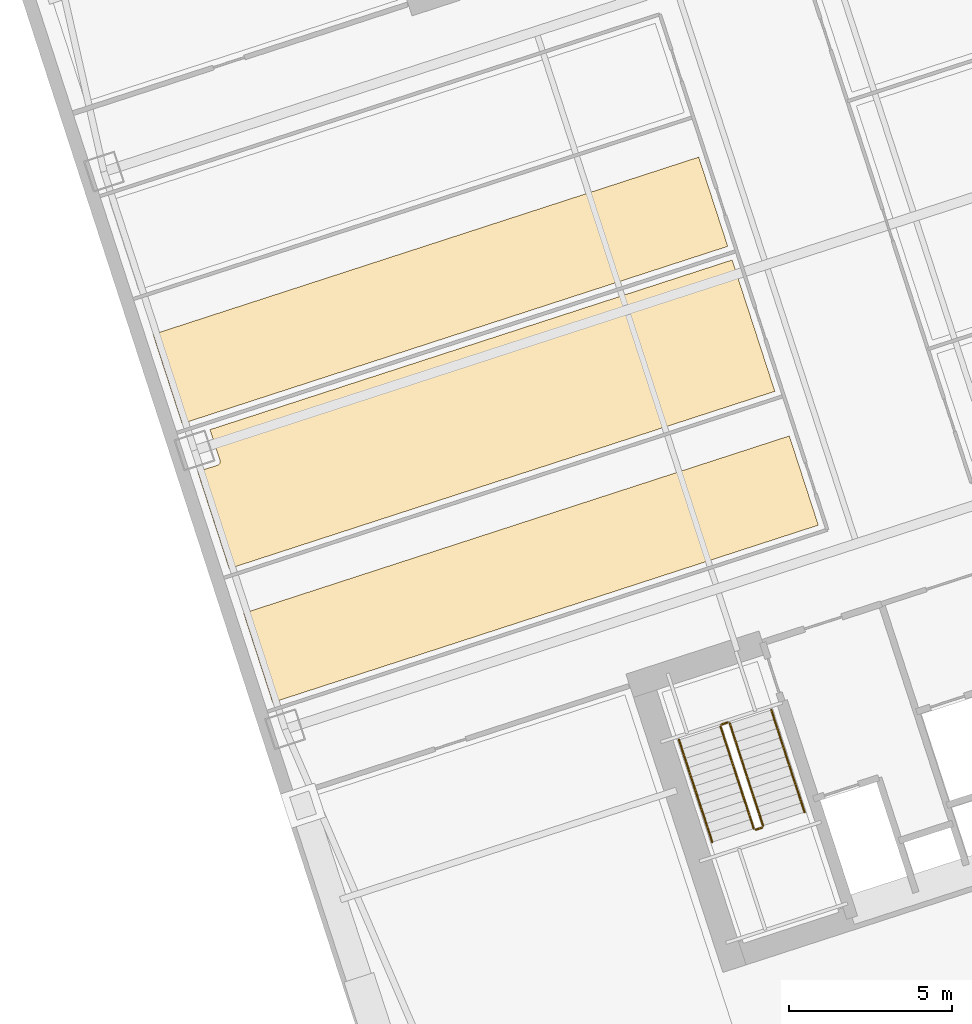
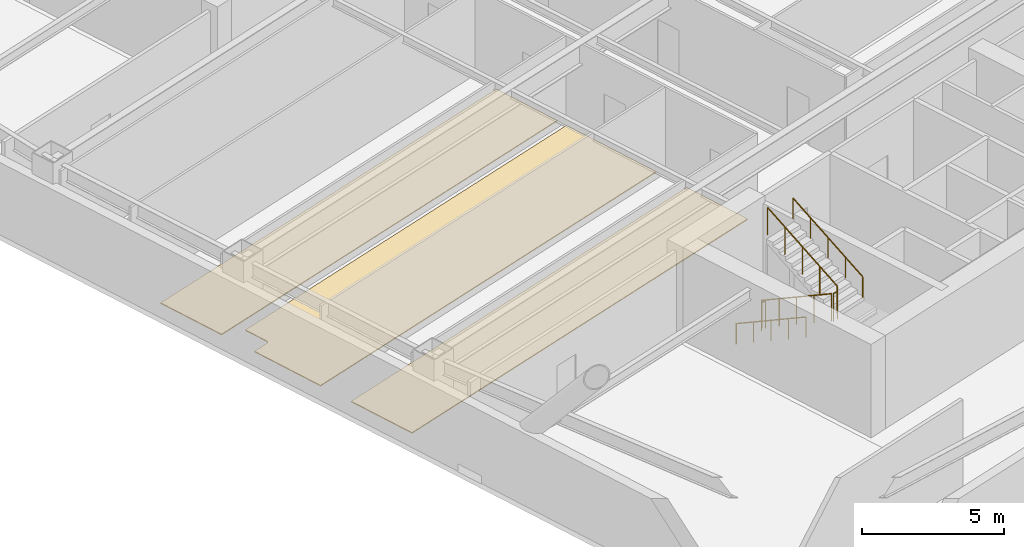
# One storey, part 15 of 18: 6 railings, 3 coverings.
"""IFC4 building model written with IfcOpenShell, lengths in metres."""

from ifc_helpers import new_model, si_unit, direction, frame, origin, origin_2d, place, context, subcontext, project, spatial, polyline, circle, outline, extrude, material, layer, layer_set, type_object, element, save


model = new_model("IFC4")

# Units and contexts
model_context = context("Model", 3, precision=1e-05, world=origin(), true_north=direction((0.0, 1.0)))
body_context = subcontext(model_context, "Body", "Model", "MODEL_VIEW")
ifc_project = project(units=[si_unit("LENGTHUNIT", "METRE"), si_unit("AREAUNIT", "SQUARE_METRE"), si_unit("VOLUMEUNIT", "CUBIC_METRE"), si_unit("PLANEANGLEUNIT", "RADIAN"), si_unit("MASSUNIT", "GRAM", prefix="KILO")], contexts=[model_context])

# Site, building, storey
site_placement = place(None, origin())
site = spatial("IfcSite", under=ifc_project, at=site_placement, CompositionType="ELEMENT")
building_placement = place(site_placement, origin())
building = spatial("IfcBuilding", under=site, at=building_placement, Name="Qiaolan Cultural Towers", CompositionType="ELEMENT")
storey_placement = place(building_placement, frame((0.0, 0.0, 42.0)))
storey = spatial("IfcBuildingStorey", under=building, at=storey_placement, Name="L09", CompositionType="ELEMENT", Elevation=42.0)

# Coverings
ifc_material_1 = material(Name="Honed Terrazzo & Raised Access Flooring", Category="concrete")
ifc_layer = layer(ifc_material_1, 0.0400390625)
ifc_layer_set = layer_set([ifc_layer], Name="Honed Terrazzo & Raised Access Flooring")
covering_type = type_object("IfcCoveringType", Name="COV-FLR-STONE", PredefinedType="FLOORING", material=ifc_layer_set)
covering_1_placement = place(storey_placement, origin())
element("IfcCovering", 1, at=covering_1_placement, inside=storey, type_object=covering_type, Name="L09 Project Briefing Room Finish Flooring", PredefinedType="FLOORING", context=body_context, shape_type="SweptSolid", body=[
    extrude(outline(polyline([(91.604248046875, 26.00439453125), (90.71435546875, 28.743408203125), (73.96142578125, 23.300048828125), (74.851318359375, 20.56103515625), (91.604248046875, 26.00439453125)])), origin(), (0.0, 0.0, 1.0), 0.0400390625),
])
covering_2_placement = place(storey_placement, origin())
element("IfcCovering", 2, at=covering_2_placement, inside=storey, type_object=covering_type, Name="L09 Curatorial Research Office Finish Flooring", PredefinedType="FLOORING", context=body_context, shape_type="SweptSolid", body=[
    extrude(outline(polyline([(73.23486328125, 27.995361328125), (73.238037109375, 27.984130859375), (73.239990234375, 27.972412109375), (73.24072265625, 27.960693359375), (73.240478515625, 27.948974609375), (73.239013671875, 27.937255859375), (73.236328125, 27.92578125), (73.232666015625, 27.91455078125), (73.227783203125, 27.90380859375), (73.221923828125, 27.8935546875), (73.215087890625, 27.884033203125), (73.207275390625, 27.875244140625), (73.19873046875, 27.8671875), (73.189453125, 27.85986328125), (73.179443359375, 27.853759765625), (73.1689453125, 27.848388671875), (73.157958984375, 27.84423828125), (72.54931640625, 27.646484375), (73.516357421875, 24.669677734375), (90.269287109375, 30.113037109375), (88.958984375, 34.1455078125), (72.928955078125, 28.93701171875), (73.23486328125, 27.995361328125)])), origin(), (0.0, 0.0, 1.0), 0.0400390625),
])
covering_3_placement = place(storey_placement, origin())
element("IfcCovering", 3, at=covering_3_placement, inside=storey, type_object=covering_type, Name="L09 Wellness Consultation Room Finish Flooring", PredefinedType="FLOORING", context=body_context, shape_type="SweptSolid", body=[
    extrude(outline(polyline([(88.8232421875, 34.56396484375), (87.93310546875, 37.302978515625), (71.180419921875, 31.859619140625), (72.0703125, 29.12060546875), (88.8232421875, 34.56396484375)])), origin(), (0.0, 0.0, 1.0), 0.0400390625),
])

# Railings
ifc_material_2 = material(Name="Galvanized Painted Steel Stair Guardrail", Category="steel")
railing_type_1 = type_object("IfcRailingType", Name="RL-STAIR-GRD", PredefinedType="GUARDRAIL", material=ifc_material_2)
railing_1_placement = place(storey_placement, frame((88.60205078125, 19.82421875, 0.166748046875)))
element("IfcRailing", 4, at=railing_1_placement, inside=storey, type_object=railing_type_1, Name="L09 ST-E1 stair guard 1", PredefinedType="GUARDRAIL", context=body_context, shape_type="SweptSolid", body=[
    extrude(circle(Radius=0.02392578125, at=origin_2d()), frame((0.0, 0.0, 1.17578125), z_axis=(0.270140520196, -0.831375721119, 0.485632072336), x_axis=(0.951053095941, 0.309027520945, 0.0)), (0.0, 0.0, 1.0), 3.77490234375),
    extrude(circle(Radius=0.02099609375, at=origin_2d()), origin(), (0.0, 0.0, 1.0), 1.15185546875),
    extrude(circle(Radius=0.02099609375, at=origin_2d()), frame((0.2548828125, -0.78466796875, 0.458251953125)), (0.0, 0.0, 1.0), 1.15185546875),
    extrude(circle(Radius=0.02099609375, at=origin_2d()), frame((0.509765625, -1.5693359375, 0.91650390625)), (0.0, 0.0, 1.0), 1.15185546875),
    extrude(circle(Radius=0.02099609375, at=origin_2d()), frame((0.764892578125, -2.353759765625, 1.375)), (0.0, 0.0, 1.0), 1.15185546875),
    extrude(circle(Radius=0.02099609375, at=origin_2d()), frame((1.019775390625, -3.138427734375, 1.833251953125)), (0.0, 0.0, 1.0), 1.15185546875),
])
railing_2_placement = place(storey_placement, frame((89.684814453125, 16.653564453125, 2.0)))
element("IfcRailing", 5, at=railing_2_placement, inside=storey, type_object=railing_type_1, Name="L09 ST-E1 stair guard 2", PredefinedType="GUARDRAIL", context=body_context, shape_type="SweptSolid", body=[
    extrude(circle(Radius=0.02392578125, at=origin_2d()), frame((0.0, 0.0, 1.17578125), z_axis=(0.951096855055, 0.308892816854, 0.0), x_axis=(-0.308892816854, 0.951096855055, 0.0)), (0.0, 0.0, 1.0), 0.199951171875),
    extrude(circle(Radius=0.02099609375, at=origin_2d()), origin(), (0.0, 0.0, 1.0), 1.15185546875),
    extrude(circle(Radius=0.02099609375, at=origin_2d()), frame((0.190185546875, 0.061767578125, 0.0)), (0.0, 0.0, 1.0), 1.15185546875),
])
railing_3_placement = place(storey_placement, frame((89.9072265625, 16.778564453125, 2.166748046875)))
element("IfcRailing", 6, at=railing_3_placement, inside=storey, type_object=railing_type_1, Name="L09 ST-E1 stair guard 3", PredefinedType="GUARDRAIL", context=body_context, shape_type="SweptSolid", body=[
    extrude(circle(Radius=0.02392578125, at=origin_2d()), frame((0.0, 0.0, 1.17578125), z_axis=(-0.270140520196, 0.831375721119, 0.485632072336), x_axis=(-0.951053095941, -0.309027520945, 0.0)), (0.0, 0.0, 1.0), 3.77490234375),
    extrude(circle(Radius=0.02099609375, at=origin_2d()), origin(), (0.0, 0.0, 1.0), 1.15185546875),
    extrude(circle(Radius=0.02099609375, at=origin_2d()), frame((-0.2548828125, 0.78466796875, 0.458251953125)), (0.0, 0.0, 1.0), 1.15185546875),
    extrude(circle(Radius=0.02099609375, at=origin_2d()), frame((-0.509765625, 1.5693359375, 0.91650390625)), (0.0, 0.0, 1.0), 1.15185546875),
    extrude(circle(Radius=0.02099609375, at=origin_2d()), frame((-0.764892578125, 2.353759765625, 1.375)), (0.0, 0.0, 1.0), 1.15185546875),
    extrude(circle(Radius=0.02099609375, at=origin_2d()), frame((-1.019775390625, 3.138427734375, 1.833251953125)), (0.0, 0.0, 1.0), 1.15185546875),
])
railing_4_placement = place(storey_placement, frame((88.63427734375, 19.88720703125, 0.0)))
element("IfcRailing", 7, at=railing_4_placement, inside=storey, type_object=railing_type_1, Name="L09 ST-E1 stair guard 4", PredefinedType="GUARDRAIL", context=body_context, shape_type="SweptSolid", body=[
    extrude(circle(Radius=0.02392578125, at=origin_2d()), frame((0.0, 0.0, 1.17578125), z_axis=(0.951096855055, 0.308892816854, 0.0), x_axis=(-0.308892816854, 0.951096855055, 0.0)), (0.0, 0.0, 1.0), 0.199951171875),
    extrude(circle(Radius=0.02099609375, at=origin_2d()), origin(), (0.0, 0.0, 1.0), 1.15185546875),
    extrude(circle(Radius=0.02099609375, at=origin_2d()), frame((0.190185546875, 0.061767578125, 0.0)), (0.0, 0.0, 1.0), 1.15185546875),
])
ifc_material_3 = material(Name="Stainless Steel S30408 Tubular Handrail", Category="steel")
railing_type_2 = type_object("IfcRailingType", Name="RL-STAIR-HR", PredefinedType="HANDRAIL", material=ifc_material_3)
railing_5_placement = place(storey_placement, frame((87.32763671875, 19.41015625, 0.166748046875)))
element("IfcRailing", 8, at=railing_5_placement, inside=storey, type_object=railing_type_2, Name="L09 ST-E1 stair handrail 1", PredefinedType="HANDRAIL", context=body_context, shape_type="SweptSolid", body=[
    extrude(circle(Radius=0.02392578125, at=origin_2d()), frame((0.0, 0.0, 0.8759765625), z_axis=(0.270140520196, -0.831375721119, 0.485632072336), x_axis=(0.951053095941, 0.309027520945, 0.0)), (0.0, 0.0, 1.0), 3.77490234375),
    extrude(circle(Radius=0.02099609375, at=origin_2d()), origin(), (0.0, 0.0, 1.0), 0.851806640625),
    extrude(circle(Radius=0.02099609375, at=origin_2d()), frame((0.2548828125, -0.78466796875, 0.458251953125)), (0.0, 0.0, 1.0), 0.851806640625),
    extrude(circle(Radius=0.02099609375, at=origin_2d()), frame((0.509765625, -1.5693359375, 0.91650390625)), (0.0, 0.0, 1.0), 0.851806640625),
    extrude(circle(Radius=0.02099609375, at=origin_2d()), frame((0.764892578125, -2.353759765625, 1.375)), (0.0, 0.0, 1.0), 0.851806640625),
    extrude(circle(Radius=0.02099609375, at=origin_2d()), frame((1.019775390625, -3.138427734375, 1.833251953125)), (0.0, 0.0, 1.0), 0.851806640625),
])
railing_6_placement = place(storey_placement, frame((91.181640625, 17.192626953125, 2.166748046875)))
element("IfcRailing", 9, at=railing_6_placement, inside=storey, type_object=railing_type_2, Name="L09 ST-E1 stair handrail 2", PredefinedType="HANDRAIL", context=body_context, shape_type="SweptSolid", body=[
    extrude(circle(Radius=0.02392578125, at=origin_2d()), frame((0.0, 0.0, 0.8759765625), z_axis=(-0.270140520196, 0.831375721119, 0.485632072336), x_axis=(-0.951053095941, -0.309027520945, 0.0)), (0.0, 0.0, 1.0), 3.77490234375),
    extrude(circle(Radius=0.02099609375, at=origin_2d()), origin(), (0.0, 0.0, 1.0), 0.851806640625),
    extrude(circle(Radius=0.02099609375, at=origin_2d()), frame((-0.2548828125, 0.78466796875, 0.458251953125)), (0.0, 0.0, 1.0), 0.851806640625),
    extrude(circle(Radius=0.02099609375, at=origin_2d()), frame((-0.509765625, 1.5693359375, 0.91650390625)), (0.0, 0.0, 1.0), 0.851806640625),
    extrude(circle(Radius=0.02099609375, at=origin_2d()), frame((-0.764892578125, 2.353759765625, 1.375)), (0.0, 0.0, 1.0), 0.851806640625),
    extrude(circle(Radius=0.02099609375, at=origin_2d()), frame((-1.019775390625, 3.138427734375, 1.833251953125)), (0.0, 0.0, 1.0), 0.851806640625),
])

save(model, "model.ifc")
